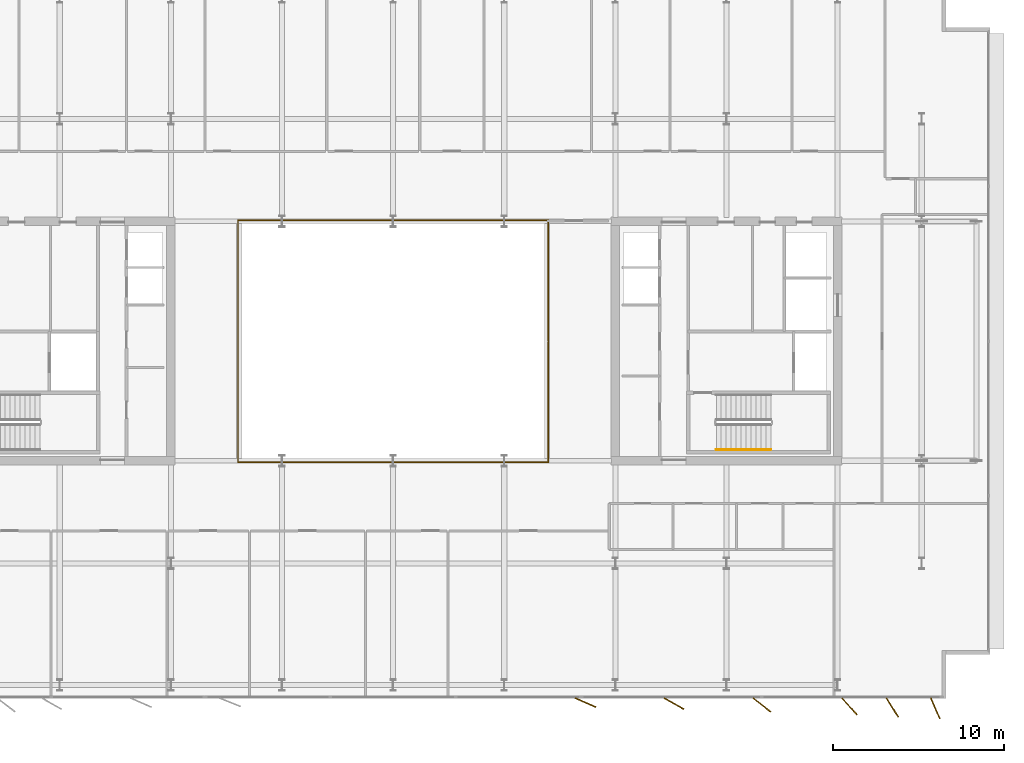
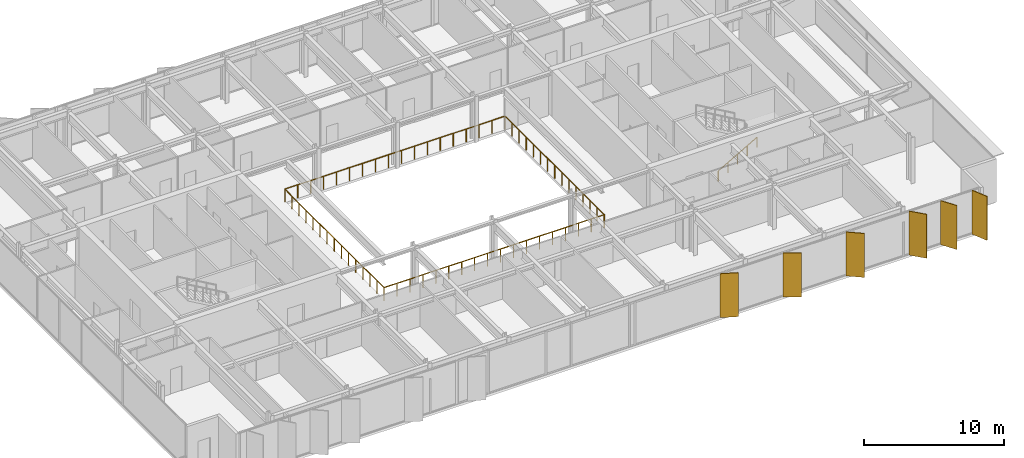
# One storey, part 18 of 20: 6 shading devices, 3 railings.
"""IFC4 building model written with IfcOpenShell, lengths in metres."""

import ifcopenshell
import ifcopenshell.guid

model = None  # the IFC model being written
_history = None  # IfcOwnerHistory: only IFC2X3 demands one
_inside = {}  # id of a spatial element -> (the spatial element, [elements in it])
_under = {}  # id of a project, library or spatial element -> (it, [spatial elements below it])
_declared = {}  # id of a project -> (the project, [libraries it declares])
_typed = {}  # id of a type object -> (the type object, [elements of that type])
_made_of = {}  # id of a material, layer set ... -> (it, [elements and type objects made of it])


def new_model(schema):
    """Start an empty IFC model of exactly this schema.

    Asked for "IFC4X3", IfcOpenShell would pick the latest addendum, in which some entities
    have other attributes; the version numbers below select the first issue.
    IFC2X3 requires an IfcOwnerHistory on every rooted entity: one is made here for all.
    """
    global model, _history
    if schema == "IFC4X3":
        model = ifcopenshell.file(schema_version=(4, 3, 0, 0))
    else:
        model = ifcopenshell.file(schema=schema)
    _inside.clear()
    _under.clear()
    _declared.clear()
    _typed.clear()
    _made_of.clear()
    _history = None
    if model.schema == "IFC2X3":
        org = make("IfcOrganization", Name="unknown")
        user = make(
            "IfcPersonAndOrganization",
            ThePerson=make("IfcPerson", FamilyName="unknown"),
            TheOrganization=org,
        )
        app = make(
            "IfcApplication",
            ApplicationDeveloper=org,
            Version="unknown",
            ApplicationFullName="unknown",
            ApplicationIdentifier="unknown",
        )
        _history = make(
            "IfcOwnerHistory",
            OwningUser=user,
            OwningApplication=app,
            ChangeAction="ADDED",
            CreationDate=0,
        )
    return model


def make(cls, **values):
    """One entity of the class cls with the attributes given. An attribute that is None is left unset."""
    return model.create_entity(
        cls, **{name: value for name, value in values.items() if value is not None}
    )


def rooted(cls, **values):
    """An entity with a GlobalId (a new one), such as an element, a storey or a relation."""
    return make(cls, GlobalId=ifcopenshell.guid.new(), OwnerHistory=_history, **values)


def si_unit(unit_type, name, prefix=None):
    """IfcSIUnit, for example si_unit("LENGTHUNIT", "METRE", prefix="MILLI")."""
    return make("IfcSIUnit", UnitType=unit_type, Prefix=prefix, Name=name)


def assignment(units):
    """IfcUnitAssignment: the units of a project."""
    return None if units is None else make("IfcUnitAssignment", Units=units)


def point(xyz):
    """IfcCartesianPoint."""
    return None if xyz is None else make("IfcCartesianPoint", Coordinates=xyz)


def direction(xyz):
    """IfcDirection."""
    return None if xyz is None else make("IfcDirection", DirectionRatios=xyz)


def frame(location, z_axis=None, x_axis=None):
    """IfcAxis2Placement3D, a coordinate frame: its origin and axes. An axis left out is left unset."""
    return make(
        "IfcAxis2Placement3D",
        Location=point(location),
        Axis=direction(z_axis),
        RefDirection=direction(x_axis),
    )


def frame_2d(location, x_axis=None):
    """IfcAxis2Placement2D, a coordinate frame in the plane: its origin and x axis."""
    return make(
        "IfcAxis2Placement2D", Location=point(location), RefDirection=direction(x_axis)
    )


def origin():
    """The frame at (0, 0, 0) with its axes left unset."""
    return frame((0.0, 0.0, 0.0))


def origin_2d():
    """The frame at (0, 0) in the plane with its x axis left unset."""
    return frame_2d((0.0, 0.0))


def place(relative_to, where):
    """IfcLocalPlacement: puts the frame where relative to a parent placement (None: the world)."""
    return make(
        "IfcLocalPlacement", PlacementRelTo=relative_to, RelativePlacement=where
    )


def context(
    kind, dimensions, precision=None, world=None, true_north=None, identifier=None
):
    """IfcGeometricRepresentationContext, for example the 3D "Model" context."""
    return make(
        "IfcGeometricRepresentationContext",
        ContextIdentifier=identifier,
        ContextType=kind,
        CoordinateSpaceDimension=dimensions,
        Precision=precision,
        WorldCoordinateSystem=world,
        TrueNorth=true_north,
    )


def subcontext(parent, identifier, kind, view, scale=None):
    """IfcGeometricRepresentationSubContext, for example "Body" below "Model"."""
    return make(
        "IfcGeometricRepresentationSubContext",
        ContextIdentifier=identifier,
        ContextType=kind,
        ParentContext=parent,
        TargetScale=scale,
        TargetView=view,
    )


def project(units=None, contexts=None):
    """IfcProject with its units and contexts."""
    return rooted(
        "IfcProject",
        Name="project",
        RepresentationContexts=contexts,
        UnitsInContext=assignment(units),
    )


def spatial(cls, under=None, at=None, **own):
    """A site, building, storey or space (cls), placed at a placement, below another one or the project."""
    s = rooted(cls, ObjectPlacement=at, **own)
    if under is not None:
        _under.setdefault(under.id(), (under, []))[1].append(s)
    return s


def profile(cls, at=None, kind="AREA", **sizes):
    """A parametric profile (cls). Its sizes go by their IFC names, for example OverallWidth=200.0."""
    return make(cls, ProfileType=kind, Position=at, **sizes)


def rectangle(**sizes):
    """IfcRectangleProfileDef."""
    return profile("IfcRectangleProfileDef", **sizes)


def circle(**sizes):
    """IfcCircleProfileDef."""
    return profile("IfcCircleProfileDef", **sizes)


def extrude(swept, where, along, depth):
    """IfcExtrudedAreaSolid: the profile swept, set in the frame where, extruded along a direction by depth."""
    return make(
        "IfcExtrudedAreaSolid",
        SweptArea=swept,
        Position=where,
        ExtrudedDirection=direction(along),
        Depth=depth,
    )


def shape(context_of_items, identifier, shape_type, items):
    """IfcShapeRepresentation: the items that make up one representation, for example the "Body"."""
    return make(
        "IfcShapeRepresentation",
        ContextOfItems=context_of_items,
        RepresentationIdentifier=identifier,
        RepresentationType=shape_type,
        Items=items,
    )


def material(Name=None, Category=None):
    """IfcMaterial."""
    return make("IfcMaterial", Name=Name, Category=Category)


def layer(
    of_material, thickness, ventilated=None, Name=None, Category=None, Priority=None
):
    """IfcMaterialLayer: one layer of a wall or slab, of a material (None: an air gap)."""
    return make(
        "IfcMaterialLayer",
        Material=of_material,
        LayerThickness=thickness,
        IsVentilated=ventilated,
        Name=Name,
        Category=Category,
        Priority=Priority,
    )


def layer_set(layers, Name=None):
    """IfcMaterialLayerSet."""
    return make("IfcMaterialLayerSet", MaterialLayers=layers, LayerSetName=Name)


def made_of(thing, what):
    """Note that an element or type object is made of a material, layer set ...; save() writes the relation."""
    if what is not None:
        _made_of.setdefault(what.id(), (what, []))[1].append(thing)
    return thing


def type_object(cls, material=None, **own):
    """A type object (cls), such as IfcWallType, which elements share."""
    return made_of(rooted(cls, **own), material)


def element(
    cls,
    number,
    at=None,
    inside=None,
    cuts=None,
    type_object=None,
    material=None,
    context=None,
    identifier="Body",
    shape_type=None,
    held_by="IfcProductDefinitionShape",
    body=None,
    shapes=None,
    **own,
):
    """One element of the class cls, such as IfcWall. Its Tag is "e" and its number.

    at: its placement. inside: the storey or other place that contains it. cuts: it is an
    opening in that element (IfcRelVoidsElement). A single representation is given by context,
    identifier, shape_type and body (its items); several are given by shapes. held_by: the class
    of the entity that holds the representations. save() writes the other relations.
    """
    e = rooted(cls, Tag="e%d" % number, ObjectPlacement=at, **own)
    if body is not None:
        shapes = [shape(context, identifier, shape_type, body)]
    if shapes is not None:
        e.Representation = make(held_by, Representations=shapes)
    if inside is not None:
        _inside.setdefault(inside.id(), (inside, []))[1].append(e)
    if cuts is not None:
        rooted(
            "IfcRelVoidsElement", RelatingBuildingElement=cuts, RelatedOpeningElement=e
        )
    if type_object is not None:
        _typed.setdefault(type_object.id(), (type_object, []))[1].append(e)
    return made_of(e, material)


def aggregate(whole, parts):
    """IfcRelAggregates: a whole, such as a stair, and the parts it consists of."""
    return rooted("IfcRelAggregates", RelatingObject=whole, RelatedObjects=parts)


def save(model, path):
    """Write the relations noted so far, then the file.

    IfcRelAggregates (storeys below a building ...), IfcRelContainedInSpatialStructure (elements
    in a storey), IfcRelDefinesByType, IfcRelAssociatesMaterial and IfcRelDeclares: one each for
    every whole, place, type object, material and project.
    """
    for whole, parts in _under.values():
        aggregate(whole, parts)
    for where, things in _inside.values():
        rooted(
            "IfcRelContainedInSpatialStructure",
            RelatedElements=things,
            RelatingStructure=where,
        )
    for kind, things in _typed.values():
        rooted("IfcRelDefinesByType", RelatedObjects=things, RelatingType=kind)
    for what, things in _made_of.values():
        rooted("IfcRelAssociatesMaterial", RelatedObjects=things, RelatingMaterial=what)
    for by, libraries in _declared.values():
        rooted("IfcRelDeclares", RelatingContext=by, RelatedDefinitions=libraries)
    model.write(path)


model = new_model("IFC4")

# Units and contexts
model_context = context("Model", 3, precision=1e-05, world=origin(), true_north=direction((0.0, 1.0)))
body_context = subcontext(model_context, "Body", "Model", "MODEL_VIEW")
ifc_project = project(units=[si_unit("LENGTHUNIT", "METRE"), si_unit("AREAUNIT", "SQUARE_METRE"), si_unit("VOLUMEUNIT", "CUBIC_METRE"), si_unit("PLANEANGLEUNIT", "RADIAN"), si_unit("MASSUNIT", "GRAM", prefix="KILO")], contexts=[model_context])

# Site, building, storey
site_placement = place(None, origin())
site = spatial("IfcSite", under=ifc_project, at=site_placement, CompositionType="ELEMENT")
building_placement = place(site_placement, origin())
building = spatial("IfcBuilding", under=site, at=building_placement, Name="Putna Gate Headquarters", CompositionType="ELEMENT")
storey_placement = place(building_placement, frame((0.0, 0.0, 298.39990234375)))
storey = spatial("IfcBuildingStorey", under=building, at=storey_placement, Name="L75", CompositionType="ELEMENT", Elevation=298.39990234375)

# Railings
ifc_material_1 = material(Name="Anodised bronze and laminated glass atrium balustrade", Category="glass")
railing_type_1 = type_object("IfcRailingType", Name="RAIL-ATRIUM-GUARD-1150", PredefinedType="GUARDRAIL", material=ifc_material_1)
railing_1_placement = place(storey_placement, frame((29.919921875, 25.969970703125, 0.0)))
element("IfcRailing", 1, at=railing_1_placement, inside=storey, type_object=railing_type_1, Name="L75 Central Atrium Glazed Balustrade South", PredefinedType="GUARDRAIL", context=body_context, shape_type="SweptSolid", body=[
    extrude(circle(Radius=0.02392578125, at=origin_2d()), frame((0.0, 0.0, 1.1259765625), z_axis=(0.0, -1.0, 0.0), x_axis=(1.0, 0.0, 0.0)), (0.0, 0.0, 1.0), 7.050048828125),
    extrude(circle(Radius=0.02392578125, at=origin_2d()), frame((0.0, -7.050048828125, 1.1259765625), z_axis=(1.0, 0.0, 0.0), x_axis=(0.0, 1.0, 0.0)), (0.0, 0.0, 1.0), 18.16015625),
    extrude(circle(Radius=0.02392578125, at=origin_2d()), frame((18.16015625, -7.050048828125, 1.1259765625), z_axis=(0.0, 1.0, 0.0), x_axis=(-1.0, 0.0, 0.0)), (0.0, 0.0, 1.0), 7.050048828125),
    extrude(circle(Radius=0.02099609375, at=origin_2d()), origin(), (0.0, 0.0, 1.0), 1.101806640625),
    extrude(circle(Radius=0.02099609375, at=origin_2d()), frame((0.0, -1.007080078125, 0.0)), (0.0, 0.0, 1.0), 1.101806640625),
    extrude(circle(Radius=0.02099609375, at=origin_2d()), frame((0.0, -2.014404296875, 0.0)), (0.0, 0.0, 1.0), 1.101806640625),
    extrude(circle(Radius=0.02099609375, at=origin_2d()), frame((0.0, -3.021484375, 0.0)), (0.0, 0.0, 1.0), 1.101806640625),
    extrude(circle(Radius=0.02099609375, at=origin_2d()), frame((0.0, -4.028564453125, 0.0)), (0.0, 0.0, 1.0), 1.101806640625),
    extrude(circle(Radius=0.02099609375, at=origin_2d()), frame((0.0, -5.03564453125, 0.0)), (0.0, 0.0, 1.0), 1.101806640625),
    extrude(circle(Radius=0.02099609375, at=origin_2d()), frame((0.0, -6.04296875, 0.0)), (0.0, 0.0, 1.0), 1.101806640625),
    extrude(circle(Radius=0.02099609375, at=origin_2d()), frame((0.0, -7.050048828125, 0.0)), (0.0, 0.0, 1.0), 1.101806640625),
    extrude(circle(Radius=0.02099609375, at=origin_2d()), frame((1.068359375, -7.050048828125, 0.0)), (0.0, 0.0, 1.0), 1.101806640625),
    extrude(circle(Radius=0.02099609375, at=origin_2d()), frame((2.136474609375, -7.050048828125, 0.0)), (0.0, 0.0, 1.0), 1.101806640625),
    extrude(circle(Radius=0.02099609375, at=origin_2d()), frame((3.204833984375, -7.050048828125, 0.0)), (0.0, 0.0, 1.0), 1.101806640625),
    extrude(circle(Radius=0.02099609375, at=origin_2d()), frame((4.27294921875, -7.050048828125, 0.0)), (0.0, 0.0, 1.0), 1.101806640625),
    extrude(circle(Radius=0.02099609375, at=origin_2d()), frame((5.34130859375, -7.050048828125, 0.0)), (0.0, 0.0, 1.0), 1.101806640625),
    extrude(circle(Radius=0.02099609375, at=origin_2d()), frame((6.409423828125, -7.050048828125, 0.0)), (0.0, 0.0, 1.0), 1.101806640625),
    extrude(circle(Radius=0.02099609375, at=origin_2d()), frame((7.477783203125, -7.050048828125, 0.0)), (0.0, 0.0, 1.0), 1.101806640625),
    extrude(circle(Radius=0.02099609375, at=origin_2d()), frame((8.5458984375, -7.050048828125, 0.0)), (0.0, 0.0, 1.0), 1.101806640625),
    extrude(circle(Radius=0.02099609375, at=origin_2d()), frame((9.6142578125, -7.050048828125, 0.0)), (0.0, 0.0, 1.0), 1.101806640625),
    extrude(circle(Radius=0.02099609375, at=origin_2d()), frame((10.682373046875, -7.050048828125, 0.0)), (0.0, 0.0, 1.0), 1.101806640625),
    extrude(circle(Radius=0.02099609375, at=origin_2d()), frame((11.750732421875, -7.050048828125, 0.0)), (0.0, 0.0, 1.0), 1.101806640625),
    extrude(circle(Radius=0.02099609375, at=origin_2d()), frame((12.81884765625, -7.050048828125, 0.0)), (0.0, 0.0, 1.0), 1.101806640625),
    extrude(circle(Radius=0.02099609375, at=origin_2d()), frame((13.88720703125, -7.050048828125, 0.0)), (0.0, 0.0, 1.0), 1.101806640625),
    extrude(circle(Radius=0.02099609375, at=origin_2d()), frame((14.955322265625, -7.050048828125, 0.0)), (0.0, 0.0, 1.0), 1.101806640625),
    extrude(circle(Radius=0.02099609375, at=origin_2d()), frame((16.023681640625, -7.050048828125, 0.0)), (0.0, 0.0, 1.0), 1.101806640625),
    extrude(circle(Radius=0.02099609375, at=origin_2d()), frame((17.091796875, -7.050048828125, 0.0)), (0.0, 0.0, 1.0), 1.101806640625),
    extrude(circle(Radius=0.02099609375, at=origin_2d()), frame((18.16015625, -7.050048828125, 0.0)), (0.0, 0.0, 1.0), 1.101806640625),
    extrude(circle(Radius=0.02099609375, at=origin_2d()), frame((18.16015625, -6.04296875, 0.0)), (0.0, 0.0, 1.0), 1.101806640625),
    extrude(circle(Radius=0.02099609375, at=origin_2d()), frame((18.16015625, -5.03564453125, 0.0)), (0.0, 0.0, 1.0), 1.101806640625),
    extrude(circle(Radius=0.02099609375, at=origin_2d()), frame((18.16015625, -4.028564453125, 0.0)), (0.0, 0.0, 1.0), 1.101806640625),
    extrude(circle(Radius=0.02099609375, at=origin_2d()), frame((18.16015625, -3.021484375, 0.0)), (0.0, 0.0, 1.0), 1.101806640625),
    extrude(circle(Radius=0.02099609375, at=origin_2d()), frame((18.16015625, -2.014404296875, 0.0)), (0.0, 0.0, 1.0), 1.101806640625),
    extrude(circle(Radius=0.02099609375, at=origin_2d()), frame((18.16015625, -1.007080078125, 0.0)), (0.0, 0.0, 1.0), 1.101806640625),
    extrude(circle(Radius=0.02099609375, at=origin_2d()), frame((18.16015625, 0.0, 0.0)), (0.0, 0.0, 1.0), 1.101806640625),
])
railing_2_placement = place(storey_placement, frame((48.080078125, 26.030029296875, 0.0)))
element("IfcRailing", 2, at=railing_2_placement, inside=storey, type_object=railing_type_1, Name="L75 Central Atrium Glazed Balustrade North", PredefinedType="GUARDRAIL", context=body_context, shape_type="SweptSolid", body=[
    extrude(circle(Radius=0.02392578125, at=origin_2d()), frame((0.0, 0.0, 1.1259765625), z_axis=(0.0, 1.0, 0.0), x_axis=(-1.0, 0.0, 0.0)), (0.0, 0.0, 1.0), 7.050048828125),
    extrude(circle(Radius=0.02392578125, at=origin_2d()), frame((0.0, 7.050048828125, 1.1259765625), z_axis=(-1.0, 0.0, 0.0), x_axis=(0.0, -1.0, 0.0)), (0.0, 0.0, 1.0), 18.16015625),
    extrude(circle(Radius=0.02392578125, at=origin_2d()), frame((-18.16015625, 7.050048828125, 1.1259765625), z_axis=(0.0, -1.0, 0.0), x_axis=(1.0, 0.0, 0.0)), (0.0, 0.0, 1.0), 7.050048828125),
    extrude(circle(Radius=0.02099609375, at=origin_2d()), origin(), (0.0, 0.0, 1.0), 1.101806640625),
    extrude(circle(Radius=0.02099609375, at=origin_2d()), frame((0.0, 1.007080078125, 0.0)), (0.0, 0.0, 1.0), 1.101806640625),
    extrude(circle(Radius=0.02099609375, at=origin_2d()), frame((0.0, 2.014404296875, 0.0)), (0.0, 0.0, 1.0), 1.101806640625),
    extrude(circle(Radius=0.02099609375, at=origin_2d()), frame((0.0, 3.021484375, 0.0)), (0.0, 0.0, 1.0), 1.101806640625),
    extrude(circle(Radius=0.02099609375, at=origin_2d()), frame((0.0, 4.028564453125, 0.0)), (0.0, 0.0, 1.0), 1.101806640625),
    extrude(circle(Radius=0.02099609375, at=origin_2d()), frame((0.0, 5.03564453125, 0.0)), (0.0, 0.0, 1.0), 1.101806640625),
    extrude(circle(Radius=0.02099609375, at=origin_2d()), frame((0.0, 6.04296875, 0.0)), (0.0, 0.0, 1.0), 1.101806640625),
    extrude(circle(Radius=0.02099609375, at=origin_2d()), frame((0.0, 7.050048828125, 0.0)), (0.0, 0.0, 1.0), 1.101806640625),
    extrude(circle(Radius=0.02099609375, at=origin_2d()), frame((-1.068359375, 7.050048828125, 0.0)), (0.0, 0.0, 1.0), 1.101806640625),
    extrude(circle(Radius=0.02099609375, at=origin_2d()), frame((-2.136474609375, 7.050048828125, 0.0)), (0.0, 0.0, 1.0), 1.101806640625),
    extrude(circle(Radius=0.02099609375, at=origin_2d()), frame((-3.204833984375, 7.050048828125, 0.0)), (0.0, 0.0, 1.0), 1.101806640625),
    extrude(circle(Radius=0.02099609375, at=origin_2d()), frame((-4.27294921875, 7.050048828125, 0.0)), (0.0, 0.0, 1.0), 1.101806640625),
    extrude(circle(Radius=0.02099609375, at=origin_2d()), frame((-5.34130859375, 7.050048828125, 0.0)), (0.0, 0.0, 1.0), 1.101806640625),
    extrude(circle(Radius=0.02099609375, at=origin_2d()), frame((-6.409423828125, 7.050048828125, 0.0)), (0.0, 0.0, 1.0), 1.101806640625),
    extrude(circle(Radius=0.02099609375, at=origin_2d()), frame((-7.477783203125, 7.050048828125, 0.0)), (0.0, 0.0, 1.0), 1.101806640625),
    extrude(circle(Radius=0.02099609375, at=origin_2d()), frame((-8.5458984375, 7.050048828125, 0.0)), (0.0, 0.0, 1.0), 1.101806640625),
    extrude(circle(Radius=0.02099609375, at=origin_2d()), frame((-9.6142578125, 7.050048828125, 0.0)), (0.0, 0.0, 1.0), 1.101806640625),
    extrude(circle(Radius=0.02099609375, at=origin_2d()), frame((-10.682373046875, 7.050048828125, 0.0)), (0.0, 0.0, 1.0), 1.101806640625),
    extrude(circle(Radius=0.02099609375, at=origin_2d()), frame((-11.750732421875, 7.050048828125, 0.0)), (0.0, 0.0, 1.0), 1.101806640625),
    extrude(circle(Radius=0.02099609375, at=origin_2d()), frame((-12.81884765625, 7.050048828125, 0.0)), (0.0, 0.0, 1.0), 1.101806640625),
    extrude(circle(Radius=0.02099609375, at=origin_2d()), frame((-13.88720703125, 7.050048828125, 0.0)), (0.0, 0.0, 1.0), 1.101806640625),
    extrude(circle(Radius=0.02099609375, at=origin_2d()), frame((-14.955322265625, 7.050048828125, 0.0)), (0.0, 0.0, 1.0), 1.101806640625),
    extrude(circle(Radius=0.02099609375, at=origin_2d()), frame((-16.023681640625, 7.050048828125, 0.0)), (0.0, 0.0, 1.0), 1.101806640625),
    extrude(circle(Radius=0.02099609375, at=origin_2d()), frame((-17.091796875, 7.050048828125, 0.0)), (0.0, 0.0, 1.0), 1.101806640625),
    extrude(circle(Radius=0.02099609375, at=origin_2d()), frame((-18.16015625, 7.050048828125, 0.0)), (0.0, 0.0, 1.0), 1.101806640625),
    extrude(circle(Radius=0.02099609375, at=origin_2d()), frame((-18.16015625, 6.04296875, 0.0)), (0.0, 0.0, 1.0), 1.101806640625),
    extrude(circle(Radius=0.02099609375, at=origin_2d()), frame((-18.16015625, 5.03564453125, 0.0)), (0.0, 0.0, 1.0), 1.101806640625),
    extrude(circle(Radius=0.02099609375, at=origin_2d()), frame((-18.16015625, 4.028564453125, 0.0)), (0.0, 0.0, 1.0), 1.101806640625),
    extrude(circle(Radius=0.02099609375, at=origin_2d()), frame((-18.16015625, 3.021484375, 0.0)), (0.0, 0.0, 1.0), 1.101806640625),
    extrude(circle(Radius=0.02099609375, at=origin_2d()), frame((-18.16015625, 2.014404296875, 0.0)), (0.0, 0.0, 1.0), 1.101806640625),
    extrude(circle(Radius=0.02099609375, at=origin_2d()), frame((-18.16015625, 1.007080078125, 0.0)), (0.0, 0.0, 1.0), 1.101806640625),
    extrude(circle(Radius=0.02099609375, at=origin_2d()), frame((-18.16015625, 0.0, 0.0)), (0.0, 0.0, 1.0), 1.101806640625),
])
ifc_material_2 = material(Name="Brushed stainless steel handrail", Category="steel")
railing_type_2 = type_object("IfcRailingType", Name="RAIL-STAIR-HAND-900", PredefinedType="HANDRAIL", material=ifc_material_2)
railing_3_placement = place(storey_placement, frame((57.89990234375, 19.64990234375, 0.166748046875)))
element("IfcRailing", 3, at=railing_3_placement, inside=storey, type_object=railing_type_2, Name="L75 ST2 stair handrail 1", PredefinedType="HANDRAIL", context=body_context, shape_type="SweptSolid", body=[
    extrude(circle(Radius=0.02392578125, at=origin_2d()), frame((0.0, 0.0, 0.8759765625), z_axis=(0.8670360191, 0.0, 0.498245463184), x_axis=(0.0, 1.0, 0.0)), (0.0, 0.0, 1.0), 3.679443359375),
    extrude(circle(Radius=0.02099609375, at=origin_2d()), origin(), (0.0, 0.0, 1.0), 0.851806640625),
    extrude(circle(Radius=0.02099609375, at=origin_2d()), frame((0.797607421875, 0.0, 0.458251953125)), (0.0, 0.0, 1.0), 0.851806640625),
    extrude(circle(Radius=0.02099609375, at=origin_2d()), frame((1.59521484375, 0.0, 0.91650390625)), (0.0, 0.0, 1.0), 0.851806640625),
    extrude(circle(Radius=0.02099609375, at=origin_2d()), frame((2.392578125, 0.0, 1.375)), (0.0, 0.0, 1.0), 0.851806640625),
    extrude(circle(Radius=0.02099609375, at=origin_2d()), frame((3.190185546875, 0.0, 1.833251953125)), (0.0, 0.0, 1.0), 0.851806640625),
])

# Shading devices
ifc_material_3 = material(Name="Anodised architectural bronze aluminium fin", Category="aluminium")
ifc_layer = layer(ifc_material_3, 0.06494140625)
ifc_layer_set = layer_set([ifc_layer], Name="Anodised architectural bronze aluminium fin")
shading_device_type = type_object("IfcShadingDeviceType", Name="SHADE-BRONZE-FIN-1320", PredefinedType="USERDEFINED", material=ifc_layer_set)
for number, where, z_axis, x_axis, name in (
    (4, (50.2529296875, 4.856689453125, -0.02001953125), (0.0, 0.0, 1.0), (0.913687379856, -0.40641773078, 0.0), "L75 Bronze Vertical Shading Fin S7"),
    (5, (55.423828125, 4.798828125, -0.02001953125), (0.0, 0.0, 1.0), (0.869322458298, -0.494245347472, 0.0), "L75 Bronze Vertical Shading Fin S8"),
    (6, (60.569580078125, 4.71826171875, -0.02001953125), (0.0, 0.0, 1.0), (0.787473187632, -0.616348909921, 0.0), "L75 Bronze Vertical Shading Fin S9"),
    (7, (65.691650390625, 4.634521484375, -0.02001953125), (0.0, 0.0, 1.0), (0.669130606359, -0.743144825477, 0.0), "L75 Bronze Vertical Shading Fin S10"),
    (8, (68.2001953125, 4.565673828125, -0.02001953125), (0.0, 0.0, 1.0), (0.530659123936, -0.847585331506, 0.0), "L75 Bronze Vertical Shading Fin S11"),
    (9, (70.71435546875, 4.520263671875, -0.02001953125), (0.0, 0.0, 1.0), (0.400668879095, -0.916222925562, 0.0), "L75 Bronze Vertical Shading Fin S12"),
):
    element("IfcShadingDevice", number, at=place(storey_placement, frame(where, z_axis=z_axis, x_axis=x_axis)), inside=storey, type_object=shading_device_type, Name=name, ObjectType="FIN", PredefinedType="USERDEFINED", context=body_context, shape_type="SweptSolid", body=[
        extrude(rectangle(XDim=1.320068359375, YDim=0.06494140625, at=origin_2d()), origin(), (0.0, 0.0, 1.0), 3.827880859375),
    ])

save(model, "model.ifc")
